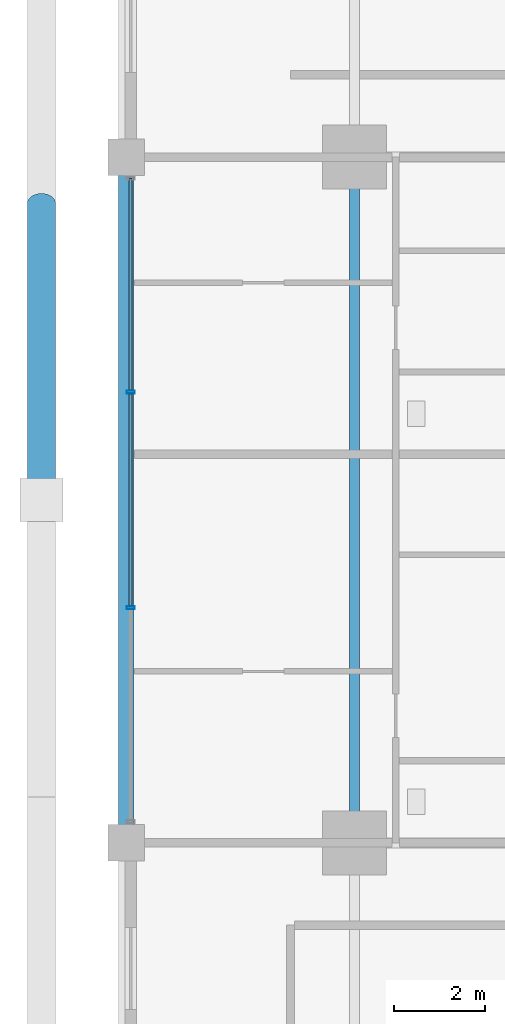
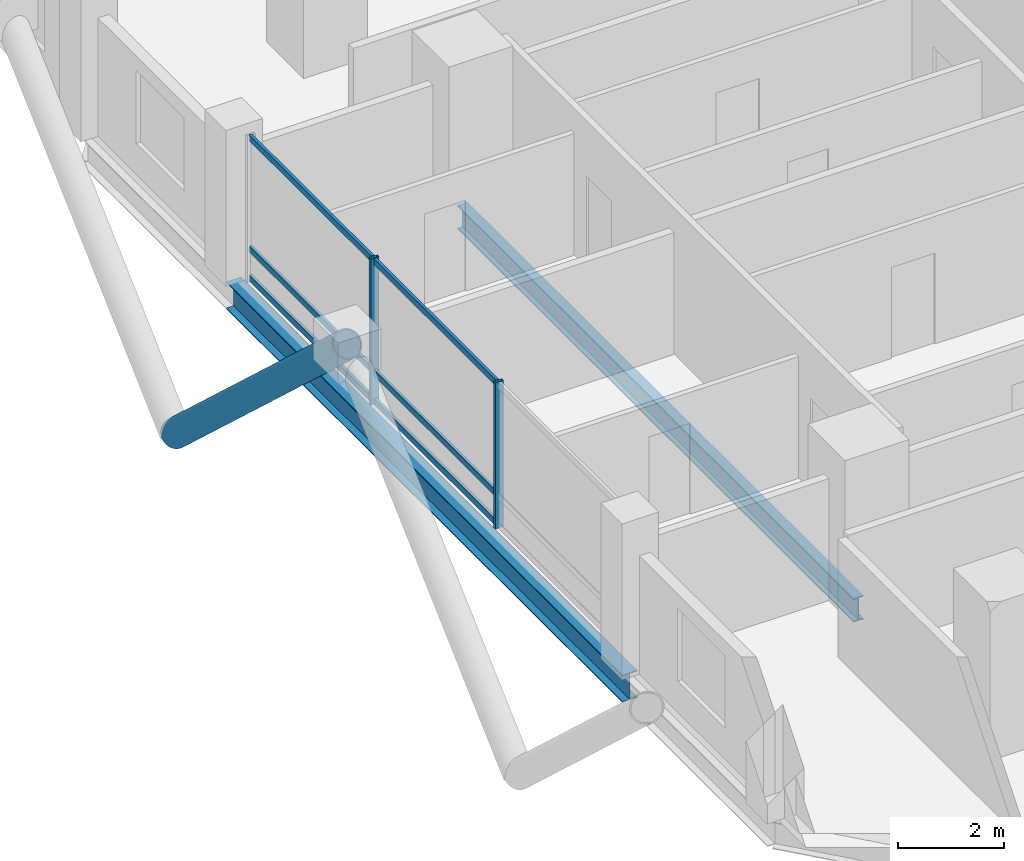
# One storey, part 6 of 23: 9 members, 2 beams, 1 element without a shape of its own.
"""IFC4 building model written with IfcOpenShell, lengths in metres."""

from ifc_helpers import new_model, si_unit, direction, frame, origin, origin_2d, place, context, subcontext, project, spatial, hollow_rectangle, hollow_circle, i_section, extrude, material, layer, layer_set, material_profile, profile_set, type_object, element, aggregate, save


model = new_model("IFC4")

# Units and contexts
model_context = context("Model", 3, precision=1e-05, world=origin(), true_north=direction((0.0, 1.0)))
body_context = subcontext(model_context, "Body", "Model", "MODEL_VIEW")
ifc_project = project(units=[si_unit("LENGTHUNIT", "METRE"), si_unit("AREAUNIT", "SQUARE_METRE"), si_unit("VOLUMEUNIT", "CUBIC_METRE"), si_unit("PLANEANGLEUNIT", "RADIAN"), si_unit("MASSUNIT", "GRAM", prefix="KILO")], contexts=[model_context])

# Site, building, storey
site_placement = place(None, origin())
site = spatial("IfcSite", under=ifc_project, at=site_placement, CompositionType="ELEMENT")
building_placement = place(site_placement, origin())
building = spatial("IfcBuilding", under=site, at=building_placement, Name="Barlavira Tower and Art Museum", CompositionType="ELEMENT")
storey_placement = place(building_placement, frame((0.0, 0.0, 36.0)))
storey = spatial("IfcBuildingStorey", under=building, at=storey_placement, Name="L07", CompositionType="ELEMENT", Elevation=36.0)

# Curtain wall, members
ifc_material_1 = material(Name="Low-iron coastal laminated glass", Category="glass")
ifc_layer = layer(ifc_material_1, 0.179931640625, Name="Low-iron coastal laminated glass")
ifc_layer_set = layer_set([ifc_layer], Name="Low-iron coastal laminated glass")
curtain_wall_type = type_object("IfcCurtainWallType", Name="Pale-Metal Unitised Curtain Wall Zone 1", PredefinedType="NOTDEFINED", material=ifc_layer_set)
curtain_wall_placement = place(storey_placement, origin())
curtain_wall = element("IfcCurtainWall", 1, at=curtain_wall_placement, inside=storey, type_object=curtain_wall_type, Name="L07 Curtain Wall CW1-L07-W-B3", PredefinedType="NOTDEFINED")
ifc_material_2 = material(Name="Pale anodised aluminium", Category="aluminium")
ifc_material_profile_1 = material_profile(ifc_material_2, hollow_rectangle(XDim=0.06494140625, YDim=0.179931640625, WallThickness=0.00390625, at=origin_2d()), Name="ALU-MULL 65x180x4")
ifc_profile_set_1 = profile_set([ifc_material_profile_1], Name="Pale anodised aluminium")
member_type_1 = type_object("IfcMemberType", Name="Curtain Wall Pale-Metal Mullion 65x180", PredefinedType="MULLION", material=ifc_profile_set_1)
member_1_placement = place(storey_placement, frame((-21.89990234375, 2.360107421875, 0.0), z_axis=(0.0, 0.0, 1.0), x_axis=(0.0, -1.0, 0.0)))
member_1 = element("IfcMember", 2, at=member_1_placement, type_object=member_type_1, Name="CW1-L07-W-B3 Mullion 1", PredefinedType="MULLION", context=body_context, shape_type="SweptSolid", body=[
    extrude(hollow_rectangle(XDim=0.06494140625, YDim=0.179931640625, WallThickness=0.00390625, at=origin_2d()), origin(), (0.0, 0.0, 1.0), 3.3798828125),
])
member_2_placement = place(storey_placement, frame((-21.89990234375, -2.360107421875, 0.0), z_axis=(0.0, 0.0, 1.0), x_axis=(0.0, -1.0, 0.0)))
member_2 = element("IfcMember", 3, at=member_2_placement, type_object=member_type_1, Name="CW1-L07-W-B3 Mullion 2", PredefinedType="MULLION", context=body_context, shape_type="SweptSolid", body=[
    extrude(hollow_rectangle(XDim=0.06494140625, YDim=0.179931640625, WallThickness=0.00390625, at=origin_2d()), origin(), (0.0, 0.0, 1.0), 3.3798828125),
])
ifc_material_profile_2 = material_profile(ifc_material_2, hollow_rectangle(XDim=0.06494140625, YDim=0.139892578125, WallThickness=0.00390625, at=origin_2d()), Name="ALU-TRAN 65x140x4")
ifc_profile_set_2 = profile_set([ifc_material_profile_2], Name="Pale anodised aluminium")
member_type_2 = type_object("IfcMemberType", Name="Curtain Wall Pale-Metal Transom 65x140", PredefinedType="USERDEFINED", material=ifc_profile_set_2)
member_3_placement = place(storey_placement, frame((-21.89990234375, 7.034912109375, 0.070068359375), z_axis=(0.0, -1.0, 0.0), x_axis=(1.0, 0.0, 0.0)))
member_3 = element("IfcMember", 4, at=member_3_placement, type_object=member_type_2, Name="CW1-L07-W-B3 Transom 0.1", ObjectType="TRANSOM", PredefinedType="USERDEFINED", context=body_context, shape_type="SweptSolid", body=[
    extrude(hollow_rectangle(XDim=0.06494140625, YDim=0.139892578125, WallThickness=0.00390625, at=origin_2d()), origin(), (0.0, 0.0, 1.0), 4.6298828125),
])
member_4_placement = place(storey_placement, frame((-21.89990234375, 7.034912109375, 0.743896484375), z_axis=(0.0, -1.0, 0.0), x_axis=(1.0, 0.0, 0.0)))
member_4 = element("IfcMember", 5, at=member_4_placement, type_object=member_type_2, Name="CW1-L07-W-B3 Transom 0.2", ObjectType="TRANSOM", PredefinedType="USERDEFINED", context=body_context, shape_type="SweptSolid", body=[
    extrude(hollow_rectangle(XDim=0.06494140625, YDim=0.139892578125, WallThickness=0.00390625, at=origin_2d()), origin(), (0.0, 0.0, 1.0), 4.6298828125),
])
member_5_placement = place(storey_placement, frame((-21.89990234375, 7.034912109375, 3.31005859375), z_axis=(0.0, -1.0, 0.0), x_axis=(1.0, 0.0, 0.0)))
member_5 = element("IfcMember", 6, at=member_5_placement, type_object=member_type_2, Name="CW1-L07-W-B3 Transom 0.3", ObjectType="TRANSOM", PredefinedType="USERDEFINED", context=body_context, shape_type="SweptSolid", body=[
    extrude(hollow_rectangle(XDim=0.06494140625, YDim=0.139892578125, WallThickness=0.00390625, at=origin_2d()), origin(), (0.0, 0.0, 1.0), 4.6298828125),
])
member_6_placement = place(storey_placement, frame((-21.89990234375, 2.31494140625, 0.070068359375), z_axis=(0.0, -1.0, 0.0), x_axis=(1.0, 0.0, 0.0)))
member_6 = element("IfcMember", 7, at=member_6_placement, type_object=member_type_2, Name="CW1-L07-W-B3 Transom 1.1", ObjectType="TRANSOM", PredefinedType="USERDEFINED", context=body_context, shape_type="SweptSolid", body=[
    extrude(hollow_rectangle(XDim=0.06494140625, YDim=0.139892578125, WallThickness=0.00390625, at=origin_2d()), origin(), (0.0, 0.0, 1.0), 4.6298828125),
])
member_7_placement = place(storey_placement, frame((-21.89990234375, 2.31494140625, 0.743896484375), z_axis=(0.0, -1.0, 0.0), x_axis=(1.0, 0.0, 0.0)))
member_7 = element("IfcMember", 8, at=member_7_placement, type_object=member_type_2, Name="CW1-L07-W-B3 Transom 1.2", ObjectType="TRANSOM", PredefinedType="USERDEFINED", context=body_context, shape_type="SweptSolid", body=[
    extrude(hollow_rectangle(XDim=0.06494140625, YDim=0.139892578125, WallThickness=0.00390625, at=origin_2d()), origin(), (0.0, 0.0, 1.0), 4.6298828125),
])
member_8_placement = place(storey_placement, frame((-21.89990234375, 2.31494140625, 3.31005859375), z_axis=(0.0, -1.0, 0.0), x_axis=(1.0, 0.0, 0.0)))
member_8 = element("IfcMember", 9, at=member_8_placement, type_object=member_type_2, Name="CW1-L07-W-B3 Transom 1.3", ObjectType="TRANSOM", PredefinedType="USERDEFINED", context=body_context, shape_type="SweptSolid", body=[
    extrude(hollow_rectangle(XDim=0.06494140625, YDim=0.139892578125, WallThickness=0.00390625, at=origin_2d()), origin(), (0.0, 0.0, 1.0), 4.6298828125),
])
aggregate(curtain_wall, [member_1, member_2, member_3, member_4, member_5, member_6, member_7, member_8])

# Member
ifc_material_3 = material(Name="Steel S355", Category="steel")
ifc_material_profile_3 = material_profile(ifc_material_3, hollow_circle(Radius=0.304931640625, WallThickness=0.028076171875, at=origin_2d()), Name="CHS 610.0x28.0")
ifc_profile_set_3 = profile_set([ifc_material_profile_3], Name="Steel S355")
member_type_3 = type_object("IfcMemberType", Name="Pale-Metal Exoskeleton Diagrid Tube CHS 610x28 Steel S355", PredefinedType="BRACE", material=ifc_profile_set_3)
member_9_placement = place(storey_placement, frame((-23.85009765625, 6.5, -2.52001953125), z_axis=(0.0, -0.734803444627, 0.678280102733), x_axis=(1.0, 0.0, 0.0)))
element("IfcMember", 10, at=member_9_placement, inside=storey, type_object=member_type_3, Name="L07 Exoskeleton Diagrid Tube W", PredefinedType="BRACE", context=body_context, shape_type="SweptSolid", body=[
    extrude(hollow_circle(Radius=0.304931640625, WallThickness=0.028076171875, at=origin_2d()), origin(), (0.0, 0.0, 1.0), 8.845947265625),
])

# Beams
ifc_material_profile_4 = material_profile(ifc_material_3, i_section(OverallWidth=0.327880859375, OverallDepth=0.62890625, WebThickness=0.013916015625, FlangeThickness=0.021484375, at=origin_2d()), Name="W610x174.0")
ifc_profile_set_4 = profile_set([ifc_material_profile_4], Name="Steel S355")
beam_type_1 = type_object("IfcBeamType", Name="Perimeter Spandrel Edge Beam W610x174 Steel S355", PredefinedType="SPANDREL", material=ifc_profile_set_4)
beam_1_placement = place(storey_placement, frame((-22.0, -7.5, -0.534423828125), z_axis=(0.0, 1.0, 0.0), x_axis=(-1.0, 0.0, 0.0)))
element("IfcBeam", 11, at=beam_1_placement, inside=storey, type_object=beam_type_1, Name="L07 Spandrel 14", PredefinedType="SPANDREL", context=body_context, shape_type="SweptSolid", body=[
    extrude(i_section(OverallWidth=0.327880859375, OverallDepth=0.62890625, WebThickness=0.013916015625, FlangeThickness=0.021484375, at=origin_2d()), origin(), (0.0, 0.0, 1.0), 15.0),
])
ifc_material_profile_5 = material_profile(ifc_material_3, i_section(OverallWidth=0.214111328125, OverallDepth=0.549072265625, WebThickness=0.0146484375, FlangeThickness=0.023681640625, at=origin_2d()), Name="W530x138.0")
ifc_profile_set_5 = profile_set([ifc_material_profile_5], Name="Steel S355")
beam_type_2 = type_object("IfcBeamType", Name="Zone 1 Primary Floor Girder W530x138 Steel S355", PredefinedType="BEAM", material=ifc_profile_set_5)
beam_2_placement = place(storey_placement, frame((-17.0, -7.5, -0.494384765625), z_axis=(0.0, 1.0, 0.0), x_axis=(-1.0, 0.0, 0.0)))
element("IfcBeam", 12, at=beam_2_placement, inside=storey, type_object=beam_type_2, Name="L07 Girder M-W2", PredefinedType="BEAM", context=body_context, shape_type="SweptSolid", body=[
    extrude(i_section(OverallWidth=0.214111328125, OverallDepth=0.549072265625, WebThickness=0.0146484375, FlangeThickness=0.023681640625, at=origin_2d()), origin(), (0.0, 0.0, 1.0), 15.0),
])

save(model, "model.ifc")
